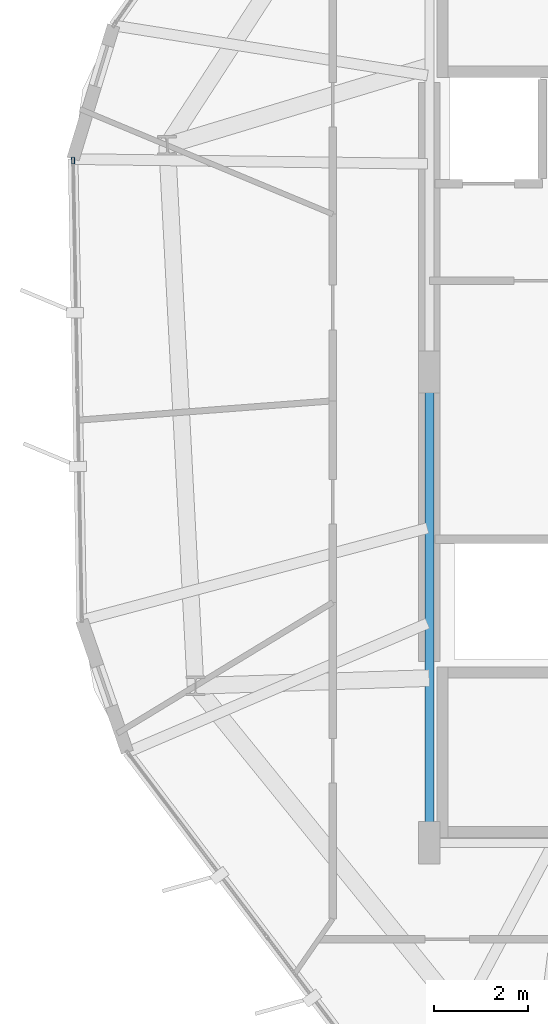
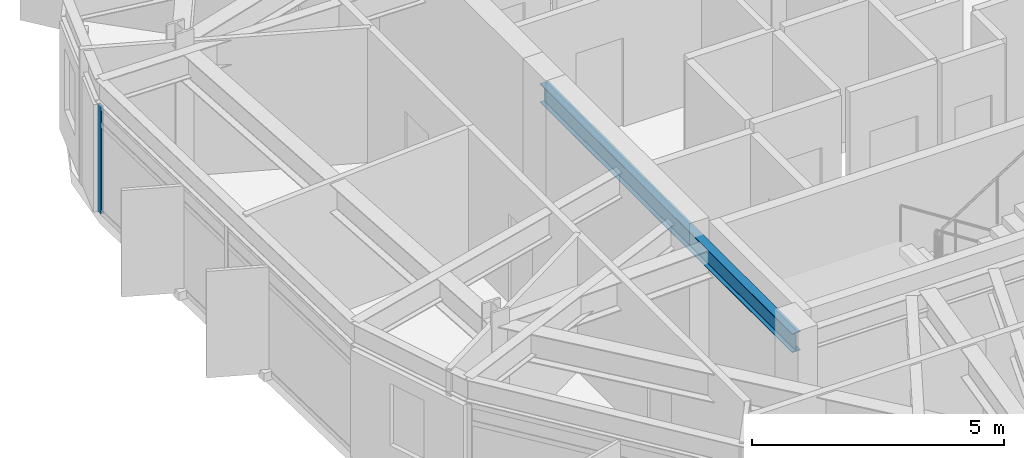
# One storey, part 11 of 34: 1 beam, 1 member, 1 element without a shape of its own.
"""IFC4 building model written with IfcOpenShell, lengths in metres."""

from ifc_helpers import new_model, si_unit, direction, frame, origin, origin_2d, place, context, subcontext, project, spatial, hollow_rectangle, i_section, extrude, material, layer, layer_set, material_profile, profile_set, type_object, element, aggregate, save


model = new_model("IFC4")

# Units and contexts
model_context = context("Model", 3, precision=1e-05, world=origin(), true_north=direction((0.0, 1.0)))
body_context = subcontext(model_context, "Body", "Model", "MODEL_VIEW")
ifc_project = project(units=[si_unit("LENGTHUNIT", "METRE"), si_unit("AREAUNIT", "SQUARE_METRE"), si_unit("VOLUMEUNIT", "CUBIC_METRE"), si_unit("PLANEANGLEUNIT", "RADIAN"), si_unit("MASSUNIT", "GRAM", prefix="KILO")], contexts=[model_context])

# Site, building, storey
site_placement = place(None, origin())
site = spatial("IfcSite", under=ifc_project, at=site_placement, CompositionType="ELEMENT")
building_placement = place(site_placement, origin())
building = spatial("IfcBuilding", under=site, at=building_placement, Name="Soratama Intermodal Tower", CompositionType="ELEMENT")
storey_placement = place(building_placement, frame((0.0, 0.0, 233.800048828125)))
storey = spatial("IfcBuildingStorey", under=building, at=storey_placement, Name="L59", CompositionType="ELEMENT", Elevation=233.800048828125)

# Beam
ifc_material_1 = material(Name="Structural steel ASTM A992 Grade 50", Category="steel")
ifc_material_profile_1 = material_profile(ifc_material_1, i_section(OverallWidth=0.19091796875, OverallDepth=0.4599609375, WebThickness=0.010009765625, FlangeThickness=0.01611328125, FilletRadius=0.010986328125, at=origin_2d()), Name="W18X55")
ifc_profile_set_1 = profile_set([ifc_material_profile_1], Name="Structural steel ASTM A992 Grade 50")
beam_type = type_object("IfcBeamType", Name="BM-FLR-W18X55", PredefinedType="BEAM", material=ifc_profile_set_1)
beam_placement = place(storey_placement, frame((32.60009765625, 25.0, 2.989990234375), z_axis=(0.0, -1.0, 0.0), x_axis=(1.0, 0.0, 0.0)))
element("IfcBeam", 1, at=beam_placement, inside=storey, type_object=beam_type, Name="BM-L59-CRING-09", PredefinedType="BEAM", context=body_context, shape_type="SweptSolid", body=[
    extrude(i_section(OverallWidth=0.19091796875, OverallDepth=0.4599609375, WebThickness=0.010009765625, FlangeThickness=0.01611328125, FilletRadius=0.010986328125, at=origin_2d()), origin(), (0.0, 0.0, 1.0), 10.0),
])

# Curtain wall, member
ifc_material_2 = material(Name="Double-glazed aluminium curtain wall", Category="aluminium")
ifc_layer = layer(ifc_material_2, 0.159912109375)
ifc_layer_set = layer_set([ifc_layer], Name="Double-glazed aluminium curtain wall")
curtain_wall_type = type_object("IfcCurtainWallType", Name="CW-SYS-5", PredefinedType="NOTDEFINED", material=ifc_layer_set)
curtain_wall_placement = place(storey_placement, origin())
curtain_wall = element("IfcCurtainWall", 2, at=curtain_wall_placement, inside=storey, type_object=curtain_wall_type, Name="L59 Faceted Curtain Wall F04", PredefinedType="NOTDEFINED")
ifc_material_3 = material(Name="Anodised aluminium AA 6063-T6", Category="aluminium")
ifc_material_profile_2 = material_profile(ifc_material_3, hollow_rectangle(XDim=0.06494140625, YDim=0.139892578125, WallThickness=0.0048828125, InnerFilletRadius=0.0048828125, OuterFilletRadius=0.010009765625, at=origin_2d()), Name="CWM140X65X5")
ifc_profile_set_2 = profile_set([ifc_material_profile_2], Name="Anodised aluminium AA 6063-T6")
member_type = type_object("IfcMemberType", Name="MT-CWM-5", PredefinedType="MULLION", material=ifc_profile_set_2)
member_placement = place(storey_placement, frame((25.03466796875, 29.493408203125, 0.0), z_axis=(0.0, 0.0, 1.0), x_axis=(0.999822295129, 0.018851476433, 0.0)))
member = element("IfcMember", 3, at=member_placement, type_object=member_type, Name="CW-5 mullion 1", PredefinedType="MULLION", context=body_context, shape_type="SweptSolid", body=[
    extrude(hollow_rectangle(XDim=0.06494140625, YDim=0.139892578125, WallThickness=0.0048828125, InnerFilletRadius=0.0048828125, OuterFilletRadius=0.010009765625, at=origin_2d()), origin(), (0.0, 0.0, 1.0), 2.598876953125),
])
aggregate(curtain_wall, [member])

save(model, "model.ifc")
